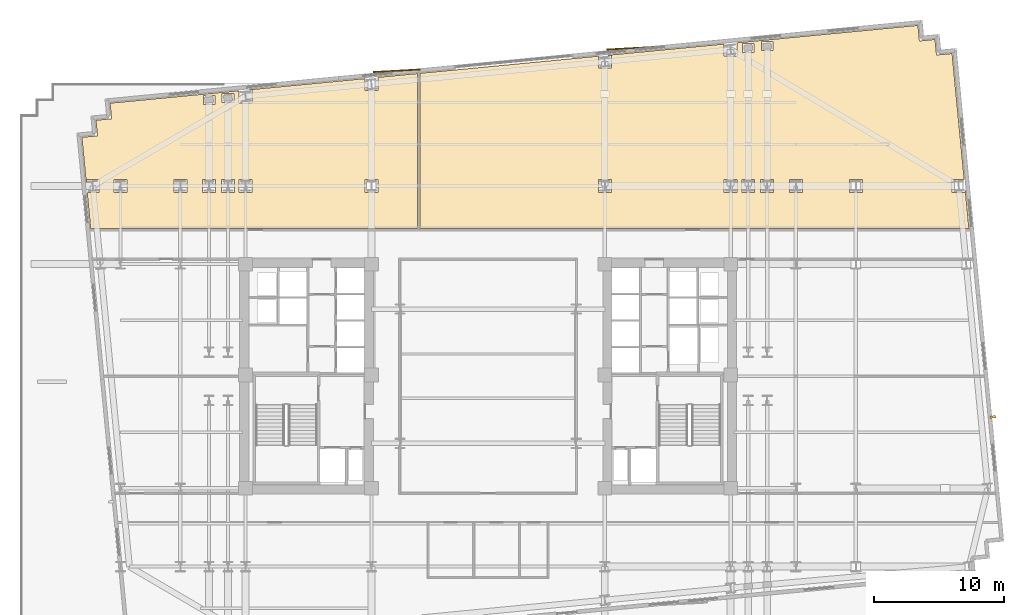
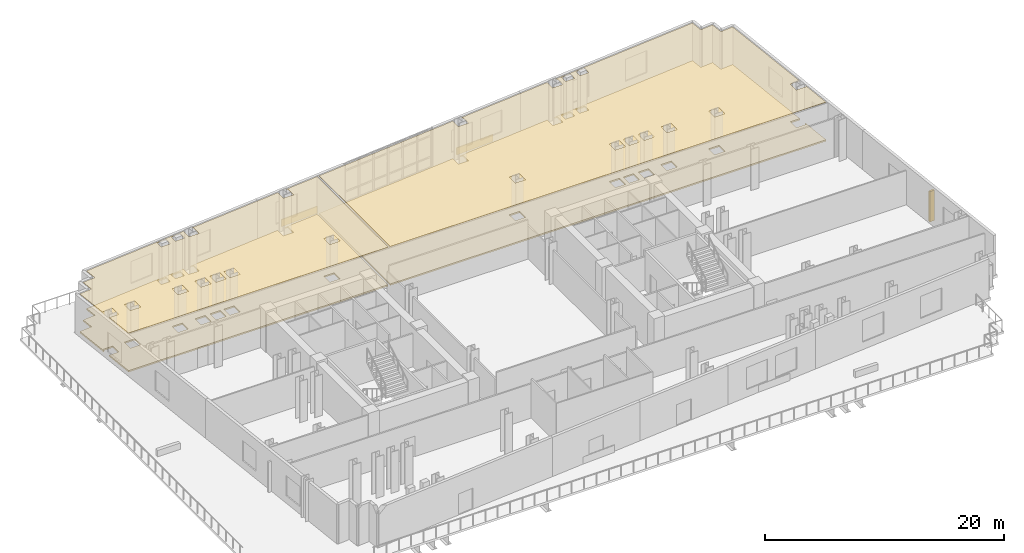
# One storey, part 14 of 14: 6 coverings, 1 shading device.
"""IFC4 building model written with IfcOpenShell, lengths in metres."""

import ifcopenshell
import ifcopenshell.guid

model = None  # the IFC model being written
_history = None  # IfcOwnerHistory: only IFC2X3 demands one
_inside = {}  # id of a spatial element -> (the spatial element, [elements in it])
_under = {}  # id of a project, library or spatial element -> (it, [spatial elements below it])
_declared = {}  # id of a project -> (the project, [libraries it declares])
_typed = {}  # id of a type object -> (the type object, [elements of that type])
_made_of = {}  # id of a material, layer set ... -> (it, [elements and type objects made of it])


def new_model(schema):
    """Start an empty IFC model of exactly this schema.

    Asked for "IFC4X3", IfcOpenShell would pick the latest addendum, in which some entities
    have other attributes; the version numbers below select the first issue.
    IFC2X3 requires an IfcOwnerHistory on every rooted entity: one is made here for all.
    """
    global model, _history
    if schema == "IFC4X3":
        model = ifcopenshell.file(schema_version=(4, 3, 0, 0))
    else:
        model = ifcopenshell.file(schema=schema)
    _inside.clear()
    _under.clear()
    _declared.clear()
    _typed.clear()
    _made_of.clear()
    _history = None
    if model.schema == "IFC2X3":
        org = make("IfcOrganization", Name="unknown")
        user = make(
            "IfcPersonAndOrganization",
            ThePerson=make("IfcPerson", FamilyName="unknown"),
            TheOrganization=org,
        )
        app = make(
            "IfcApplication",
            ApplicationDeveloper=org,
            Version="unknown",
            ApplicationFullName="unknown",
            ApplicationIdentifier="unknown",
        )
        _history = make(
            "IfcOwnerHistory",
            OwningUser=user,
            OwningApplication=app,
            ChangeAction="ADDED",
            CreationDate=0,
        )
    return model


def make(cls, **values):
    """One entity of the class cls with the attributes given. An attribute that is None is left unset."""
    return model.create_entity(
        cls, **{name: value for name, value in values.items() if value is not None}
    )


def rooted(cls, **values):
    """An entity with a GlobalId (a new one), such as an element, a storey or a relation."""
    return make(cls, GlobalId=ifcopenshell.guid.new(), OwnerHistory=_history, **values)


def si_unit(unit_type, name, prefix=None):
    """IfcSIUnit, for example si_unit("LENGTHUNIT", "METRE", prefix="MILLI")."""
    return make("IfcSIUnit", UnitType=unit_type, Prefix=prefix, Name=name)


def assignment(units):
    """IfcUnitAssignment: the units of a project."""
    return None if units is None else make("IfcUnitAssignment", Units=units)


def point(xyz):
    """IfcCartesianPoint."""
    return None if xyz is None else make("IfcCartesianPoint", Coordinates=xyz)


def direction(xyz):
    """IfcDirection."""
    return None if xyz is None else make("IfcDirection", DirectionRatios=xyz)


def frame(location, z_axis=None, x_axis=None):
    """IfcAxis2Placement3D, a coordinate frame: its origin and axes. An axis left out is left unset."""
    return make(
        "IfcAxis2Placement3D",
        Location=point(location),
        Axis=direction(z_axis),
        RefDirection=direction(x_axis),
    )


def frame_2d(location, x_axis=None):
    """IfcAxis2Placement2D, a coordinate frame in the plane: its origin and x axis."""
    return make(
        "IfcAxis2Placement2D", Location=point(location), RefDirection=direction(x_axis)
    )


def origin():
    """The frame at (0, 0, 0) with its axes left unset."""
    return frame((0.0, 0.0, 0.0))


def origin_2d():
    """The frame at (0, 0) in the plane with its x axis left unset."""
    return frame_2d((0.0, 0.0))


def place(relative_to, where):
    """IfcLocalPlacement: puts the frame where relative to a parent placement (None: the world)."""
    return make(
        "IfcLocalPlacement", PlacementRelTo=relative_to, RelativePlacement=where
    )


def context(
    kind, dimensions, precision=None, world=None, true_north=None, identifier=None
):
    """IfcGeometricRepresentationContext, for example the 3D "Model" context."""
    return make(
        "IfcGeometricRepresentationContext",
        ContextIdentifier=identifier,
        ContextType=kind,
        CoordinateSpaceDimension=dimensions,
        Precision=precision,
        WorldCoordinateSystem=world,
        TrueNorth=true_north,
    )


def subcontext(parent, identifier, kind, view, scale=None):
    """IfcGeometricRepresentationSubContext, for example "Body" below "Model"."""
    return make(
        "IfcGeometricRepresentationSubContext",
        ContextIdentifier=identifier,
        ContextType=kind,
        ParentContext=parent,
        TargetScale=scale,
        TargetView=view,
    )


def project(units=None, contexts=None):
    """IfcProject with its units and contexts."""
    return rooted(
        "IfcProject",
        Name="project",
        RepresentationContexts=contexts,
        UnitsInContext=assignment(units),
    )


def spatial(cls, under=None, at=None, **own):
    """A site, building, storey or space (cls), placed at a placement, below another one or the project."""
    s = rooted(cls, ObjectPlacement=at, **own)
    if under is not None:
        _under.setdefault(under.id(), (under, []))[1].append(s)
    return s


def polyline(points):
    """IfcPolyline through the points."""
    return make("IfcPolyline", Points=[point(p) for p in points])


def profile(cls, at=None, kind="AREA", **sizes):
    """A parametric profile (cls). Its sizes go by their IFC names, for example OverallWidth=200.0."""
    return make(cls, ProfileType=kind, Position=at, **sizes)


def rectangle(**sizes):
    """IfcRectangleProfileDef."""
    return profile("IfcRectangleProfileDef", **sizes)


def outline(outer, holes=None, kind="AREA"):
    """IfcArbitraryClosedProfileDef: a profile drawn as a closed curve; with holes, ...WithVoids."""
    if holes is None:
        return make("IfcArbitraryClosedProfileDef", ProfileType=kind, OuterCurve=outer)
    return make(
        "IfcArbitraryProfileDefWithVoids",
        ProfileType=kind,
        OuterCurve=outer,
        InnerCurves=holes,
    )


def extrude(swept, where, along, depth):
    """IfcExtrudedAreaSolid: the profile swept, set in the frame where, extruded along a direction by depth."""
    return make(
        "IfcExtrudedAreaSolid",
        SweptArea=swept,
        Position=where,
        ExtrudedDirection=direction(along),
        Depth=depth,
    )


def shape(context_of_items, identifier, shape_type, items):
    """IfcShapeRepresentation: the items that make up one representation, for example the "Body"."""
    return make(
        "IfcShapeRepresentation",
        ContextOfItems=context_of_items,
        RepresentationIdentifier=identifier,
        RepresentationType=shape_type,
        Items=items,
    )


def material(Name=None, Category=None):
    """IfcMaterial."""
    return make("IfcMaterial", Name=Name, Category=Category)


def layer(
    of_material, thickness, ventilated=None, Name=None, Category=None, Priority=None
):
    """IfcMaterialLayer: one layer of a wall or slab, of a material (None: an air gap)."""
    return make(
        "IfcMaterialLayer",
        Material=of_material,
        LayerThickness=thickness,
        IsVentilated=ventilated,
        Name=Name,
        Category=Category,
        Priority=Priority,
    )


def layer_set(layers, Name=None):
    """IfcMaterialLayerSet."""
    return make("IfcMaterialLayerSet", MaterialLayers=layers, LayerSetName=Name)


def made_of(thing, what):
    """Note that an element or type object is made of a material, layer set ...; save() writes the relation."""
    if what is not None:
        _made_of.setdefault(what.id(), (what, []))[1].append(thing)
    return thing


def type_object(cls, material=None, **own):
    """A type object (cls), such as IfcWallType, which elements share."""
    return made_of(rooted(cls, **own), material)


def element(
    cls,
    number,
    at=None,
    inside=None,
    cuts=None,
    type_object=None,
    material=None,
    context=None,
    identifier="Body",
    shape_type=None,
    held_by="IfcProductDefinitionShape",
    body=None,
    shapes=None,
    **own,
):
    """One element of the class cls, such as IfcWall. Its Tag is "e" and its number.

    at: its placement. inside: the storey or other place that contains it. cuts: it is an
    opening in that element (IfcRelVoidsElement). A single representation is given by context,
    identifier, shape_type and body (its items); several are given by shapes. held_by: the class
    of the entity that holds the representations. save() writes the other relations.
    """
    e = rooted(cls, Tag="e%d" % number, ObjectPlacement=at, **own)
    if body is not None:
        shapes = [shape(context, identifier, shape_type, body)]
    if shapes is not None:
        e.Representation = make(held_by, Representations=shapes)
    if inside is not None:
        _inside.setdefault(inside.id(), (inside, []))[1].append(e)
    if cuts is not None:
        rooted(
            "IfcRelVoidsElement", RelatingBuildingElement=cuts, RelatedOpeningElement=e
        )
    if type_object is not None:
        _typed.setdefault(type_object.id(), (type_object, []))[1].append(e)
    return made_of(e, material)


def aggregate(whole, parts):
    """IfcRelAggregates: a whole, such as a stair, and the parts it consists of."""
    return rooted("IfcRelAggregates", RelatingObject=whole, RelatedObjects=parts)


def save(model, path):
    """Write the relations noted so far, then the file.

    IfcRelAggregates (storeys below a building ...), IfcRelContainedInSpatialStructure (elements
    in a storey), IfcRelDefinesByType, IfcRelAssociatesMaterial and IfcRelDeclares: one each for
    every whole, place, type object, material and project.
    """
    for whole, parts in _under.values():
        aggregate(whole, parts)
    for where, things in _inside.values():
        rooted(
            "IfcRelContainedInSpatialStructure",
            RelatedElements=things,
            RelatingStructure=where,
        )
    for kind, things in _typed.values():
        rooted("IfcRelDefinesByType", RelatedObjects=things, RelatingType=kind)
    for what, things in _made_of.values():
        rooted("IfcRelAssociatesMaterial", RelatedObjects=things, RelatingMaterial=what)
    for by, libraries in _declared.values():
        rooted("IfcRelDeclares", RelatingContext=by, RelatedDefinitions=libraries)
    model.write(path)


model = new_model("IFC4")

# Units and contexts
model_context = context("Model", 3, precision=1e-05, world=origin(), true_north=direction((0.0, 1.0)))
body_context = subcontext(model_context, "Body", "Model", "MODEL_VIEW")
ifc_project = project(units=[si_unit("LENGTHUNIT", "METRE"), si_unit("AREAUNIT", "SQUARE_METRE"), si_unit("VOLUMEUNIT", "CUBIC_METRE"), si_unit("PLANEANGLEUNIT", "RADIAN"), si_unit("MASSUNIT", "GRAM", prefix="KILO")], contexts=[model_context])

# Site, building, storey
site_placement = place(None, origin())
site = spatial("IfcSite", under=ifc_project, at=site_placement, CompositionType="ELEMENT")
building_placement = place(site_placement, origin())
building = spatial("IfcBuilding", under=site, at=building_placement, Name="Velakula Bourse", CompositionType="ELEMENT")
storey_placement = place(building_placement, frame((0.0, 0.0, 70.0)))
storey = spatial("IfcBuildingStorey", under=building, at=storey_placement, Name="L18", CompositionType="ELEMENT", Elevation=70.0)

# Coverings
ifc_material_1 = material(Name="Buff kilned clay facing brick masonry", Category="masonry")
ifc_layer_1 = layer(ifc_material_1, 0.074951171875, Name="Buff kilned clay facing brick masonry", Category="masonry")
ifc_layer_set_1 = layer_set([ifc_layer_1], Name="Buff kilned clay facing brick masonry")
covering_type_1 = type_object("IfcCoveringType", Name="COV-BRK-SPN-75", PredefinedType="CLADDING", material=ifc_layer_set_1)
for number, where, z_axis, x_axis, name in (
    (1, (-7.0087890625, 23.428955078125, 0.0), (0.0, 0.0, 1.0), (0.998489097451, 0.054950179912, 0.0), "L18 Folded Brick Facade Cladding Panel N-B2"),
    (2, (10.908447265625, 25.154052734375, 0.0), (0.0, 0.0, 1.0), (0.998489097451, 0.054950179912, 0.0), "L18 Folded Brick Facade Cladding Panel N-B4"),
):
    element("IfcCovering", number, at=place(storey_placement, frame(where, z_axis=z_axis, x_axis=x_axis)), inside=storey, type_object=covering_type_1, Name=name, PredefinedType="CLADDING", context=body_context, shape_type="SweptSolid", body=[
        extrude(rectangle(XDim=3.60009765625, YDim=0.090087890625, at=origin_2d()), origin(), (0.0, 0.0, 1.0), 0.719970703125),
    ])
ifc_material_2 = material(Name="Mineral-fibre acoustic suspended ceiling tile", Category="mineral")
ifc_layer_2 = layer(ifc_material_2, 0.0400390625, Name="Mineral-fibre acoustic suspended ceiling tile", Category="mineral")
ifc_layer_set_2 = layer_set([ifc_layer_2], Name="Mineral-fibre acoustic suspended ceiling tile")
covering_type_2 = type_object("IfcCoveringType", Name="COV-CEIL-AC-40", PredefinedType="CEILING", material=ifc_layer_set_2)
covering_1_placement = place(storey_placement, frame((0.0, 0.0, 3.949951171875)))
element("IfcCovering", 3, at=covering_1_placement, inside=storey, type_object=covering_type_2, Name="L18 Disciplinary Hearing Room Acoustic Suspended Ceiling", PredefinedType="CEILING", context=body_context, shape_type="SweptSolid", body=[
    extrude(outline(polyline([(18.10498046875, 25.475341796875), (18.10498046875, 24.555908203125), (19.094970703125, 24.555908203125), (19.094970703125, 25.5458984375), (18.83740234375, 25.5458984375), (32.9619140625, 26.906005859375), (33.076904296875, 25.71142578125), (34.271484375, 25.826416015625), (34.386474609375, 24.632080078125), (35.5810546875, 24.7470703125), (36.510498046875, 15.094970703125), (35.5908203125, 15.094970703125), (35.5908203125, 14.10498046875), (36.580810546875, 14.10498046875), (36.580810546875, 14.363037109375), (36.873046875, 11.330078125), (-5.2119140625, 11.330078125), (-5.2119140625, 23.230224609375), (8.455078125, 24.546142578125), (8.455078125, 23.626708984375), (9.445068359375, 23.626708984375), (9.445068359375, 24.61669921875), (9.1875, 24.61669921875), (18.10498046875, 25.475341796875)]), holes=[polyline([(8.455078125, 15.094970703125), (8.455078125, 14.10498046875), (9.445068359375, 14.10498046875), (9.445068359375, 15.094970703125), (8.455078125, 15.094970703125)]), polyline([(20.905029296875, 14.10498046875), (21.89501953125, 14.10498046875), (21.89501953125, 15.094970703125), (20.905029296875, 15.094970703125), (20.905029296875, 14.10498046875)]), polyline([(23.10498046875, 15.094970703125), (23.10498046875, 14.10498046875), (24.094970703125, 14.10498046875), (24.094970703125, 15.094970703125), (23.10498046875, 15.094970703125)]), polyline([(19.455078125, 15.094970703125), (19.455078125, 14.10498046875), (20.445068359375, 14.10498046875), (20.445068359375, 15.094970703125), (19.455078125, 15.094970703125)]), polyline([(27.705078125, 14.10498046875), (28.695068359375, 14.10498046875), (28.695068359375, 15.094970703125), (27.705078125, 15.094970703125), (27.705078125, 14.10498046875)]), polyline([(18.10498046875, 14.10498046875), (19.094970703125, 14.10498046875), (19.094970703125, 15.094970703125), (18.10498046875, 15.094970703125), (18.10498046875, 14.10498046875)]), polyline([(19.5048828125, 25.52587890625), (19.5048828125, 24.8359375), (20.39501953125, 24.8359375), (20.39501953125, 25.52587890625), (19.5048828125, 25.52587890625)]), polyline([(20.955078125, 25.66552734375), (20.955078125, 24.9755859375), (21.844970703125, 24.9755859375), (21.844970703125, 25.66552734375), (20.955078125, 25.66552734375)])]), origin(), (0.0, 0.0, 1.0), 0.0400390625),
])
covering_2_placement = place(storey_placement, frame((0.0, 0.0, 3.949951171875)))
element("IfcCovering", 4, at=covering_2_placement, inside=storey, type_object=covering_type_2, Name="L18 Sky Reception Foyer Acoustic Suspended Ceiling", PredefinedType="CEILING", context=body_context, shape_type="SweptSolid", body=[
    extrude(outline(polyline([(-31.150390625, 18.321533203125), (-29.955810546875, 18.4365234375), (-30.07080078125, 19.631103515625), (-28.876220703125, 19.74609375), (-28.991455078125, 20.9404296875), (-19.094970703125, 21.893310546875), (-19.094970703125, 20.973876953125), (-18.10498046875, 20.973876953125), (-18.10498046875, 21.9638671875), (-18.36328125, 21.9638671875), (-9.445068359375, 22.822509765625), (-9.445068359375, 21.903076171875), (-8.455078125, 21.903076171875), (-8.455078125, 22.89306640625), (-8.713134765625, 22.89306640625), (-5.412109375, 23.2109375), (-5.412109375, 11.330078125), (-30.477294921875, 11.330078125), (-30.744384765625, 14.10498046875), (-29.82470703125, 14.10498046875), (-29.82470703125, 15.094970703125), (-30.814697265625, 15.094970703125), (-30.814697265625, 14.836669921875), (-31.150390625, 18.321533203125)]), holes=[polyline([(-21.89501953125, 15.094970703125), (-21.89501953125, 14.10498046875), (-20.905029296875, 14.10498046875), (-20.905029296875, 15.094970703125), (-21.89501953125, 15.094970703125)]), polyline([(-20.445068359375, 14.10498046875), (-19.455078125, 14.10498046875), (-19.455078125, 15.094970703125), (-20.445068359375, 15.094970703125), (-20.445068359375, 14.10498046875)]), polyline([(-24.094970703125, 14.10498046875), (-23.10498046875, 14.10498046875), (-23.10498046875, 15.094970703125), (-24.094970703125, 15.094970703125), (-24.094970703125, 14.10498046875)]), polyline([(-19.094970703125, 14.10498046875), (-18.10498046875, 14.10498046875), (-18.10498046875, 15.094970703125), (-19.094970703125, 15.094970703125), (-19.094970703125, 14.10498046875)]), polyline([(-28.695068359375, 15.094970703125), (-28.695068359375, 14.10498046875), (-27.705078125, 14.10498046875), (-27.705078125, 15.094970703125), (-28.695068359375, 15.094970703125)]), polyline([(-21.844970703125, 20.854248046875), (-20.955078125, 20.854248046875), (-20.955078125, 21.544189453125), (-21.844970703125, 21.544189453125), (-21.844970703125, 20.854248046875)]), polyline([(-20.39501953125, 20.993896484375), (-19.5048828125, 20.993896484375), (-19.5048828125, 21.683837890625), (-20.39501953125, 21.683837890625), (-20.39501953125, 20.993896484375)]), polyline([(-9.445068359375, 15.094970703125), (-9.445068359375, 14.10498046875), (-8.455078125, 14.10498046875), (-8.455078125, 15.094970703125), (-9.445068359375, 15.094970703125)])]), origin(), (0.0, 0.0, 1.0), 0.0400390625),
])
ifc_material_3 = material(Name="Calcium-sulphate antistatic raised access flooring", Category="gypsum")
ifc_layer_3 = layer(ifc_material_3, 0.14990234375, Name="Calcium-sulphate antistatic raised access flooring", Category="gypsum")
ifc_layer_set_3 = layer_set([ifc_layer_3], Name="Calcium-sulphate antistatic raised access flooring")
covering_type_3 = type_object("IfcCoveringType", Name="COV-FLR-RAISED-150", PredefinedType="FLOORING", material=ifc_layer_set_3)
covering_3_placement = place(storey_placement, origin())
element("IfcCovering", 5, at=covering_3_placement, inside=storey, type_object=covering_type_3, Name="L18 Disciplinary Hearing Room Raised Trading Access Floor", PredefinedType="FLOORING", context=body_context, shape_type="SweptSolid", body=[
    extrude(outline(polyline([(18.10498046875, 25.475341796875), (18.10498046875, 24.555908203125), (19.094970703125, 24.555908203125), (19.094970703125, 25.5458984375), (18.83740234375, 25.5458984375), (32.9619140625, 26.906005859375), (33.076904296875, 25.71142578125), (34.271484375, 25.826416015625), (34.386474609375, 24.632080078125), (35.5810546875, 24.7470703125), (36.510498046875, 15.094970703125), (35.5908203125, 15.094970703125), (35.5908203125, 14.10498046875), (36.580810546875, 14.10498046875), (36.580810546875, 14.363037109375), (36.873046875, 11.330078125), (-5.2119140625, 11.330078125), (-5.2119140625, 23.230224609375), (8.455078125, 24.546142578125), (8.455078125, 23.626708984375), (9.445068359375, 23.626708984375), (9.445068359375, 24.61669921875), (9.1875, 24.61669921875), (18.10498046875, 25.475341796875)]), holes=[polyline([(8.455078125, 15.094970703125), (8.455078125, 14.10498046875), (9.445068359375, 14.10498046875), (9.445068359375, 15.094970703125), (8.455078125, 15.094970703125)]), polyline([(20.905029296875, 14.10498046875), (21.89501953125, 14.10498046875), (21.89501953125, 15.094970703125), (20.905029296875, 15.094970703125), (20.905029296875, 14.10498046875)]), polyline([(23.10498046875, 15.094970703125), (23.10498046875, 14.10498046875), (24.094970703125, 14.10498046875), (24.094970703125, 15.094970703125), (23.10498046875, 15.094970703125)]), polyline([(19.455078125, 15.094970703125), (19.455078125, 14.10498046875), (20.445068359375, 14.10498046875), (20.445068359375, 15.094970703125), (19.455078125, 15.094970703125)]), polyline([(27.705078125, 14.10498046875), (28.695068359375, 14.10498046875), (28.695068359375, 15.094970703125), (27.705078125, 15.094970703125), (27.705078125, 14.10498046875)]), polyline([(18.10498046875, 14.10498046875), (19.094970703125, 14.10498046875), (19.094970703125, 15.094970703125), (18.10498046875, 15.094970703125), (18.10498046875, 14.10498046875)]), polyline([(19.5048828125, 25.52587890625), (19.5048828125, 24.8359375), (20.39501953125, 24.8359375), (20.39501953125, 25.52587890625), (19.5048828125, 25.52587890625)]), polyline([(20.955078125, 25.66552734375), (20.955078125, 24.9755859375), (21.844970703125, 24.9755859375), (21.844970703125, 25.66552734375), (20.955078125, 25.66552734375)])]), origin(), (0.0, 0.0, 1.0), 0.14990234375),
])
covering_4_placement = place(storey_placement, origin())
element("IfcCovering", 6, at=covering_4_placement, inside=storey, type_object=covering_type_3, Name="L18 Sky Reception Foyer Raised Trading Access Floor", PredefinedType="FLOORING", context=body_context, shape_type="SweptSolid", body=[
    extrude(outline(polyline([(-31.150390625, 18.321533203125), (-29.955810546875, 18.4365234375), (-30.07080078125, 19.631103515625), (-28.876220703125, 19.74609375), (-28.991455078125, 20.9404296875), (-19.094970703125, 21.893310546875), (-19.094970703125, 20.973876953125), (-18.10498046875, 20.973876953125), (-18.10498046875, 21.9638671875), (-18.36328125, 21.9638671875), (-9.445068359375, 22.822509765625), (-9.445068359375, 21.903076171875), (-8.455078125, 21.903076171875), (-8.455078125, 22.89306640625), (-8.713134765625, 22.89306640625), (-5.412109375, 23.2109375), (-5.412109375, 11.330078125), (-30.477294921875, 11.330078125), (-30.744384765625, 14.10498046875), (-29.82470703125, 14.10498046875), (-29.82470703125, 15.094970703125), (-30.814697265625, 15.094970703125), (-30.814697265625, 14.836669921875), (-31.150390625, 18.321533203125)]), holes=[polyline([(-21.89501953125, 15.094970703125), (-21.89501953125, 14.10498046875), (-20.905029296875, 14.10498046875), (-20.905029296875, 15.094970703125), (-21.89501953125, 15.094970703125)]), polyline([(-20.445068359375, 14.10498046875), (-19.455078125, 14.10498046875), (-19.455078125, 15.094970703125), (-20.445068359375, 15.094970703125), (-20.445068359375, 14.10498046875)]), polyline([(-24.094970703125, 14.10498046875), (-23.10498046875, 14.10498046875), (-23.10498046875, 15.094970703125), (-24.094970703125, 15.094970703125), (-24.094970703125, 14.10498046875)]), polyline([(-19.094970703125, 14.10498046875), (-18.10498046875, 14.10498046875), (-18.10498046875, 15.094970703125), (-19.094970703125, 15.094970703125), (-19.094970703125, 14.10498046875)]), polyline([(-28.695068359375, 15.094970703125), (-28.695068359375, 14.10498046875), (-27.705078125, 14.10498046875), (-27.705078125, 15.094970703125), (-28.695068359375, 15.094970703125)]), polyline([(-21.844970703125, 20.854248046875), (-20.955078125, 20.854248046875), (-20.955078125, 21.544189453125), (-21.844970703125, 21.544189453125), (-21.844970703125, 20.854248046875)]), polyline([(-20.39501953125, 20.993896484375), (-19.5048828125, 20.993896484375), (-19.5048828125, 21.683837890625), (-20.39501953125, 21.683837890625), (-20.39501953125, 20.993896484375)]), polyline([(-9.445068359375, 15.094970703125), (-9.445068359375, 14.10498046875), (-8.455078125, 14.10498046875), (-8.455078125, 15.094970703125), (-9.445068359375, 15.094970703125)])]), origin(), (0.0, 0.0, 1.0), 0.14990234375),
])

# Shading device
ifc_material_4 = material(Name="Anodised bronze architectural aluminium", Category="aluminium")
shading_device_type = type_object("IfcShadingDeviceType", Name="SHD-FIN-450", PredefinedType="USERDEFINED", material=ifc_material_4)
shading_device_placement = place(storey_placement, frame((38.70654296875, -3.121826171875, 0.0), z_axis=(0.0, 0.0, 1.0), x_axis=(0.995396198367, 0.09584575252, 0.0)))
element("IfcShadingDevice", 7, at=shading_device_placement, inside=storey, type_object=shading_device_type, Name="L18 Vertical Bronze Solar Shading Fin E", ObjectType="FIN", PredefinedType="USERDEFINED", context=body_context, shape_type="SweptSolid", body=[
    extrude(rectangle(XDim=0.449951171875, YDim=0.179931640625, at=origin_2d()), origin(), (0.0, 0.0, 1.0), 3.10009765625),
])

save(model, "model.ifc")
